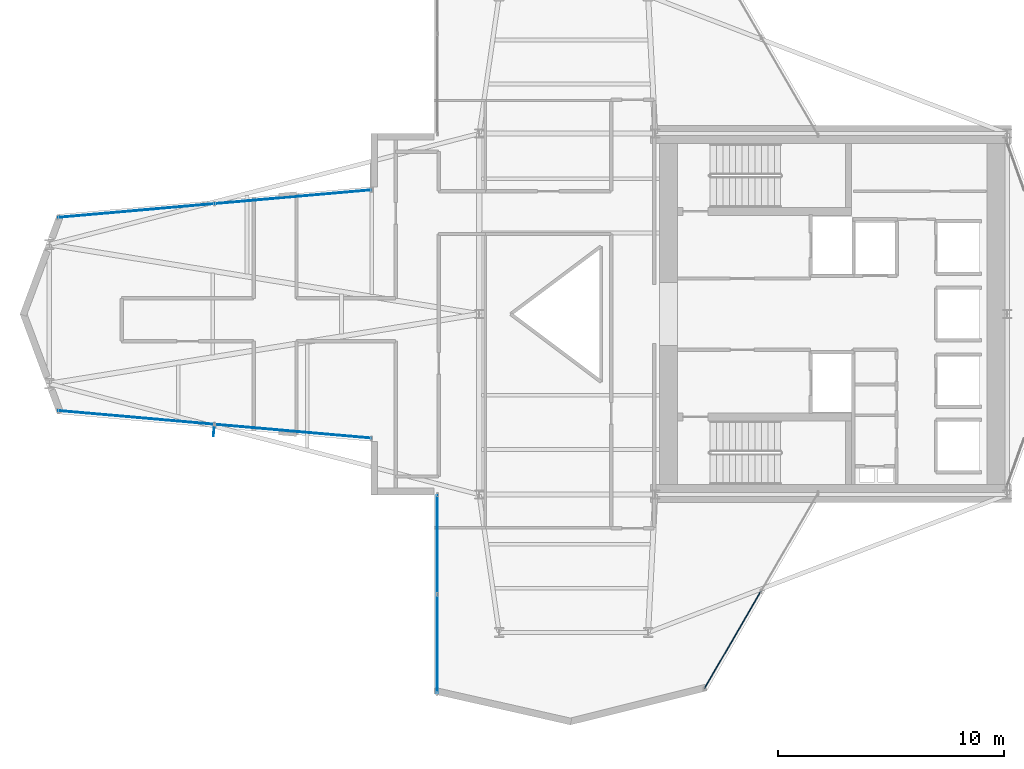
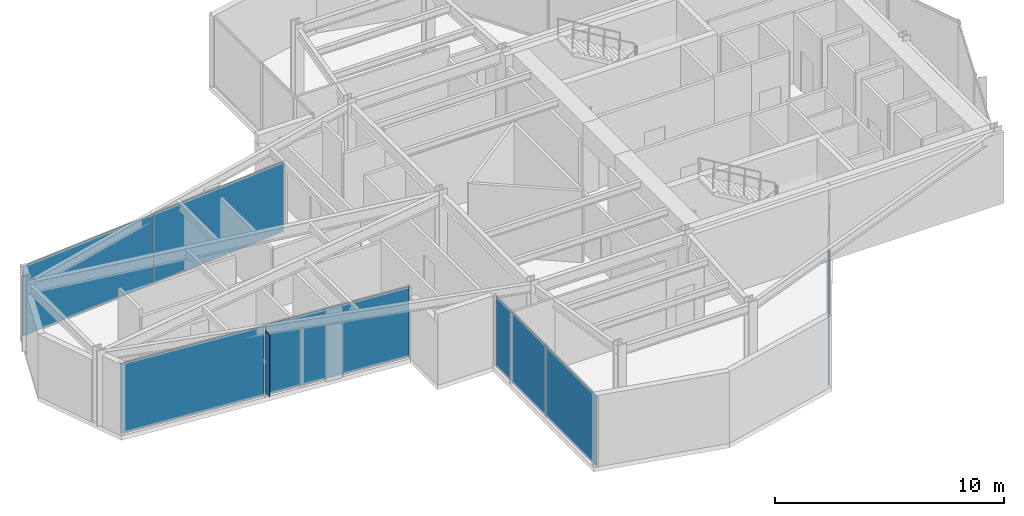
# One storey, part 19 of 25: 8 plates, 4 elements without a shape of their own.
"""IFC4 building model written with IfcOpenShell, lengths in metres."""

from ifc_helpers import new_model, si_unit, direction, frame, origin, origin_2d, place, context, subcontext, project, spatial, rectangle, extrude, material, layer, layer_set, type_object, element, aggregate, save


model = new_model("IFC4")

# Units and contexts
model_context = context("Model", 3, precision=1e-05, world=origin(), true_north=direction((0.0, 1.0)))
body_context = subcontext(model_context, "Body", "Model", "MODEL_VIEW")
ifc_project = project(units=[si_unit("LENGTHUNIT", "METRE"), si_unit("AREAUNIT", "SQUARE_METRE"), si_unit("VOLUMEUNIT", "CUBIC_METRE"), si_unit("PLANEANGLEUNIT", "RADIAN"), si_unit("MASSUNIT", "GRAM", prefix="KILO")], contexts=[model_context])

# Site, building, storey
site_placement = place(None, origin())
site = spatial("IfcSite", under=ifc_project, at=site_placement, CompositionType="ELEMENT")
building_placement = place(site_placement, origin())
building = spatial("IfcBuilding", under=site, at=building_placement, Name="Veymaron Broadcast Tower", CompositionType="ELEMENT")
storey_placement = place(building_placement, frame((0.0, 0.0, 169.5)))
storey = spatial("IfcBuildingStorey", under=building, at=storey_placement, Name="L39", CompositionType="ELEMENT", Elevation=169.5)

# Curtain wall, plates
ifc_material_1 = material(Name="Anodised aluminium AA 6063-T6 and laminated low-E dark glass", Category="aluminium")
ifc_layer_1 = layer(ifc_material_1, 0.179931640625)
ifc_layer_set_1 = layer_set([ifc_layer_1], Name="Anodised aluminium AA 6063-T6 and laminated low-E dark glass")
curtain_wall_type = type_object("IfcCurtainWallType", Name="CW-SYS-03", PredefinedType="NOTDEFINED", material=ifc_layer_set_1)
curtain_wall_1_placement = place(storey_placement, origin())
curtain_wall_1 = element("IfcCurtainWall", 1, at=curtain_wall_1_placement, inside=storey, type_object=curtain_wall_type, Name="L39 dark-glass curtain wall CW-L39-E11-1", PredefinedType="NOTDEFINED")
ifc_material_2 = material(Name="Insulated dark-anodised aluminium spandrel panel 40 mm", Category="aluminium")
ifc_layer_2 = layer(ifc_material_2, 0.0400390625)
ifc_layer_set_2 = layer_set([ifc_layer_2], Name="Insulated dark-anodised aluminium spandrel panel 40 mm")
plate_type_1 = type_object("IfcPlateType", Name="CW-PNL-03", PredefinedType="CURTAIN_PANEL", material=ifc_layer_set_2)
plate_1_placement = place(storey_placement, frame((22.943115234375, 29.194580078125, 0.0400390625), z_axis=(0.0, 0.0, 1.0), x_axis=(-0.996174897439, -0.087381769909, 0.0)))
plate_1 = element("IfcPlate", 2, at=plate_1_placement, type_object=plate_type_1, Name="CW-L39-E11-1 unitised curtain panel 0", PredefinedType="CURTAIN_PANEL", context=body_context, shape_type="SweptSolid", body=[
    extrude(rectangle(XDim=6.920654296875, YDim=0.0400390625, at=origin_2d()), origin(), (0.0, 0.0, 1.0), 3.72998046875),
])
plate_2_placement = place(storey_placement, frame((15.9892578125, 28.58447265625, 0.0400390625), z_axis=(0.0, 0.0, 1.0), x_axis=(-0.996174897439, -0.087381769909, 0.0)))
plate_2 = element("IfcPlate", 3, at=plate_2_placement, type_object=plate_type_1, Name="CW-L39-E11-1 unitised curtain panel 1", PredefinedType="CURTAIN_PANEL", context=body_context, shape_type="SweptSolid", body=[
    extrude(rectangle(XDim=6.920654296875, YDim=0.0400390625, at=origin_2d()), origin(), (0.0, 0.0, 1.0), 3.72998046875),
])
aggregate(curtain_wall_1, [plate_1, plate_2])

curtain_wall_2_placement = place(storey_placement, origin())
curtain_wall_2 = element("IfcCurtainWall", 4, at=curtain_wall_2_placement, inside=storey, type_object=curtain_wall_type, Name="L39 dark-glass curtain wall CW-L39-E14-1", PredefinedType="NOTDEFINED")
plate_3_placement = place(storey_placement, frame((15.9892578125, 19.41552734375, 0.0400390625), z_axis=(0.0, 0.0, 1.0), x_axis=(0.996174897439, -0.087381769909, 0.0)))
plate_3 = element("IfcPlate", 5, at=plate_3_placement, type_object=plate_type_1, Name="CW-L39-E14-1 unitised curtain panel 0", PredefinedType="CURTAIN_PANEL", context=body_context, shape_type="SweptSolid", body=[
    extrude(rectangle(XDim=6.920654296875, YDim=0.0400390625, at=origin_2d()), origin(), (0.0, 0.0, 1.0), 3.72998046875),
])
plate_4_placement = place(storey_placement, frame((22.943115234375, 18.805419921875, 0.0400390625), z_axis=(0.0, 0.0, 1.0), x_axis=(0.996174897439, -0.087381769909, 0.0)))
plate_4 = element("IfcPlate", 6, at=plate_4_placement, type_object=plate_type_1, Name="CW-L39-E14-1 unitised curtain panel 1", PredefinedType="CURTAIN_PANEL", context=body_context, shape_type="SweptSolid", body=[
    extrude(rectangle(XDim=6.920654296875, YDim=0.0400390625, at=origin_2d()), origin(), (0.0, 0.0, 1.0), 3.72998046875),
])
aggregate(curtain_wall_2, [plate_3, plate_4])

curtain_wall_3_placement = place(storey_placement, origin())
curtain_wall_3 = element("IfcCurtainWall", 7, at=curtain_wall_3_placement, inside=storey, type_object=curtain_wall_type, Name="L39 dark-glass curtain wall CW-L39-E17-1", PredefinedType="NOTDEFINED")
plate_5_placement = place(storey_placement, frame((29.343505859375, 13.7919921875, 0.0400390625), z_axis=(0.0, 0.0, 1.0), x_axis=(-0.001448622772, -0.999998950745, 0.0)))
plate_5 = element("IfcPlate", 8, at=plate_5_placement, type_object=plate_type_1, Name="CW-L39-E17-1 unitised curtain panel 0", PredefinedType="CURTAIN_PANEL", context=body_context, shape_type="SweptSolid", body=[
    extrude(rectangle(XDim=4.35546875, YDim=0.0400390625, at=origin_2d()), origin(), (0.0, 0.0, 1.0), 3.72998046875),
])
plate_6_placement = place(storey_placement, frame((29.337158203125, 9.376708984375, 0.0400390625), z_axis=(0.0, 0.0, 1.0), x_axis=(-0.001448622772, -0.999998950745, 0.0)))
plate_6 = element("IfcPlate", 9, at=plate_6_placement, type_object=plate_type_1, Name="CW-L39-E17-1 unitised curtain panel 1", PredefinedType="CURTAIN_PANEL", context=body_context, shape_type="SweptSolid", body=[
    extrude(rectangle(XDim=4.35546875, YDim=0.0400390625, at=origin_2d()), origin(), (0.0, 0.0, 1.0), 3.72998046875),
])
aggregate(curtain_wall_3, [plate_5, plate_6])

# Curtain wall, plate
curtain_wall_4_placement = place(storey_placement, origin())
curtain_wall_4 = element("IfcCurtainWall", 10, at=curtain_wall_4_placement, inside=storey, type_object=curtain_wall_type, Name="L39 dark-glass curtain wall CW-L39-E20-1", PredefinedType="NOTDEFINED")
plate_7_placement = place(storey_placement, frame((42.4287109375, 9.5498046875, 0.0400390625), z_axis=(0.0, 0.0, 1.0), x_axis=(0.502084416969, 0.864818615801, 0.0)))
plate_7 = element("IfcPlate", 11, at=plate_7_placement, type_object=plate_type_1, Name="CW-L39-E20-1 unitised curtain panel 0", PredefinedType="CURTAIN_PANEL", context=body_context, shape_type="SweptSolid", body=[
    extrude(rectangle(XDim=4.966552734375, YDim=0.0400390625, at=origin_2d()), origin(), (0.0, 0.0, 1.0), 3.72998046875),
])
aggregate(curtain_wall_4, [plate_7])

# Plate
ifc_material_3 = material(Name="Dark-anodised aluminium AA 6061-T6", Category="aluminium")
ifc_layer_3 = layer(ifc_material_3, 0.031982421875)
ifc_layer_set_3 = layer_set([ifc_layer_3], Name="Dark-anodised aluminium AA 6061-T6")
plate_type_2 = type_object("IfcPlateType", Name="FIN-CHEV-03", PredefinedType="USERDEFINED", material=ifc_layer_set_3)
plate_8_placement = place(storey_placement, frame((19.4375, 18.78173828125, 0.2666015625), z_axis=(0.0, 0.0, 1.0), x_axis=(-0.087381769909, -0.996174897439, 0.0)))
element("IfcPlate", 12, at=plate_8_placement, inside=storey, type_object=plate_type_2, Name="CW-L39-E14-1 chevron fin 1", ObjectType="FIN", PredefinedType="USERDEFINED", context=body_context, shape_type="SweptSolid", body=[
    extrude(rectangle(XDim=0.39990234375, YDim=0.034912109375, at=origin_2d()), origin(), (0.0, 0.0, 1.0), 3.276611328125),
])

save(model, "model.ifc")
